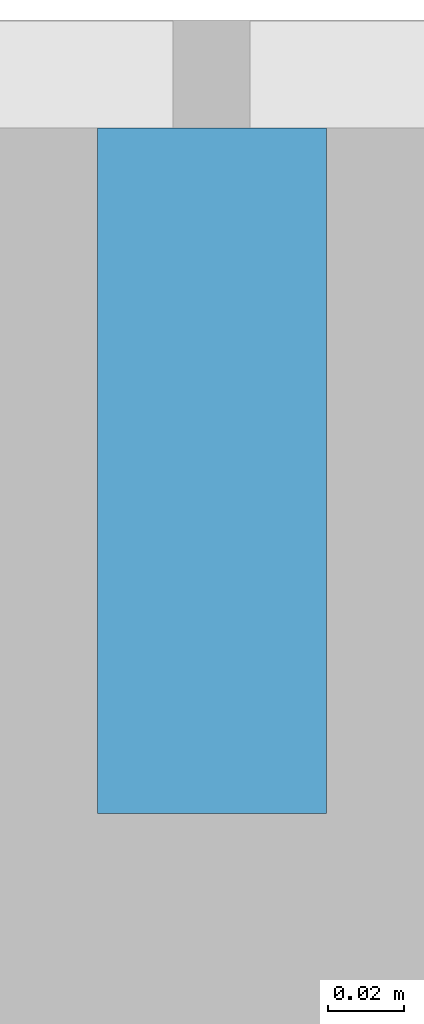
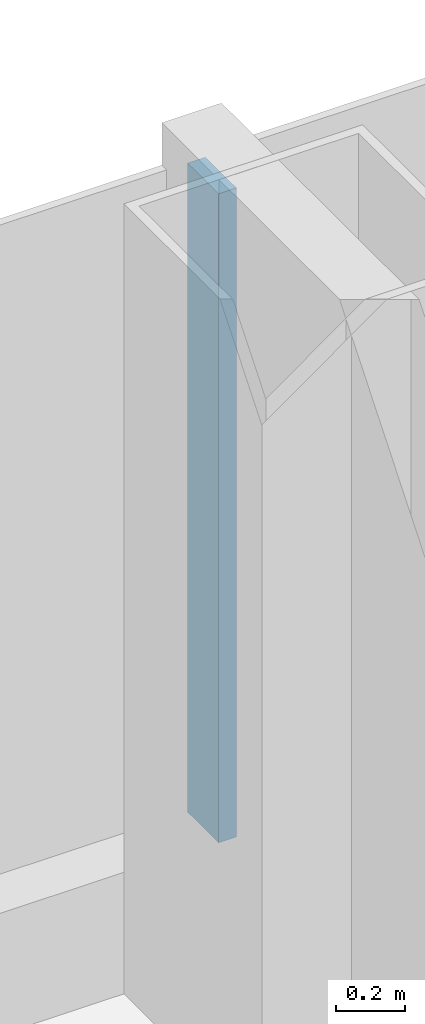
# One storey, part 8 of 29: 1 member, 1 element without a shape of its own.
"""IFC4 building model written with IfcOpenShell, lengths in metres."""

from ifc_helpers import new_model, si_unit, direction, frame, origin, origin_2d, place, context, subcontext, project, spatial, rectangle, extrude, material, layer, layer_set, material_profile, profile_set, type_object, element, aggregate, save


model = new_model("IFC4")

# Units and contexts
model_context = context("Model", 3, precision=1e-05, world=origin(), true_north=direction((0.0, 1.0)))
body_context = subcontext(model_context, "Body", "Model", "MODEL_VIEW")
ifc_project = project(units=[si_unit("LENGTHUNIT", "METRE"), si_unit("AREAUNIT", "SQUARE_METRE"), si_unit("VOLUMEUNIT", "CUBIC_METRE"), si_unit("PLANEANGLEUNIT", "RADIAN"), si_unit("MASSUNIT", "GRAM", prefix="KILO")], contexts=[model_context])

# Site, building, storey
site_placement = place(None, origin())
site = spatial("IfcSite", under=ifc_project, at=site_placement, CompositionType="ELEMENT")
building_placement = place(site_placement, origin())
building = spatial("IfcBuilding", under=site, at=building_placement, Name="Hakoniwa Tower and Hamabe Station Hall", CompositionType="ELEMENT")
storey_placement = place(building_placement, frame((0.0, 0.0, 97.800048828125)))
storey = spatial("IfcBuildingStorey", under=building, at=storey_placement, Name="L27", CompositionType="ELEMENT", Elevation=97.800048828125)

# Curtain wall, member
ifc_material_1 = material(Name="Dark low-e laminated glass", Category="glass")
ifc_layer = layer(ifc_material_1, 0.199951171875)
ifc_layer_set = layer_set([ifc_layer], Name="CW-1 UNITISED GUEST")
curtain_wall_type = type_object("IfcCurtainWallType", Name="CW-1 UNITISED GUEST", PredefinedType="NOTDEFINED", material=ifc_layer_set)
curtain_wall_placement = place(storey_placement, origin())
curtain_wall = element("IfcCurtainWall", 1, at=curtain_wall_placement, inside=storey, type_object=curtain_wall_type, Name="CW-1 curtain wall", PredefinedType="NOTDEFINED")
ifc_material_2 = material(Name="Aluminium 6063-T5 black anodised", Category="aluminium")
ifc_material_profile = material_profile(ifc_material_2, rectangle(XDim=0.06005859375, YDim=0.179931640625, at=origin_2d()), Name="CW-1 MULLION 60X180")
ifc_profile_set = profile_set([ifc_material_profile], Name="Aluminium 6063-T5 black anodised")
member_type = type_object("IfcMemberType", Name="CW-1 MULLION 60X180", PredefinedType="MULLION", material=ifc_profile_set)
member_placement = place(storey_placement, frame((-8.39990234375, 23.431884765625, 0.349853515625), z_axis=(0.0, 0.0, 1.0), x_axis=(-1.0, 0.0, 0.0)))
member = element("IfcMember", 2, at=member_placement, type_object=member_type, Name="CW-1 mullion", PredefinedType="MULLION", context=body_context, shape_type="SweptSolid", body=[
    extrude(rectangle(XDim=0.06005859375, YDim=0.179931640625, at=origin_2d()), origin(), (0.0, 0.0, 1.0), 2.300048828125),
])
aggregate(curtain_wall, [member])

save(model, "model.ifc")
